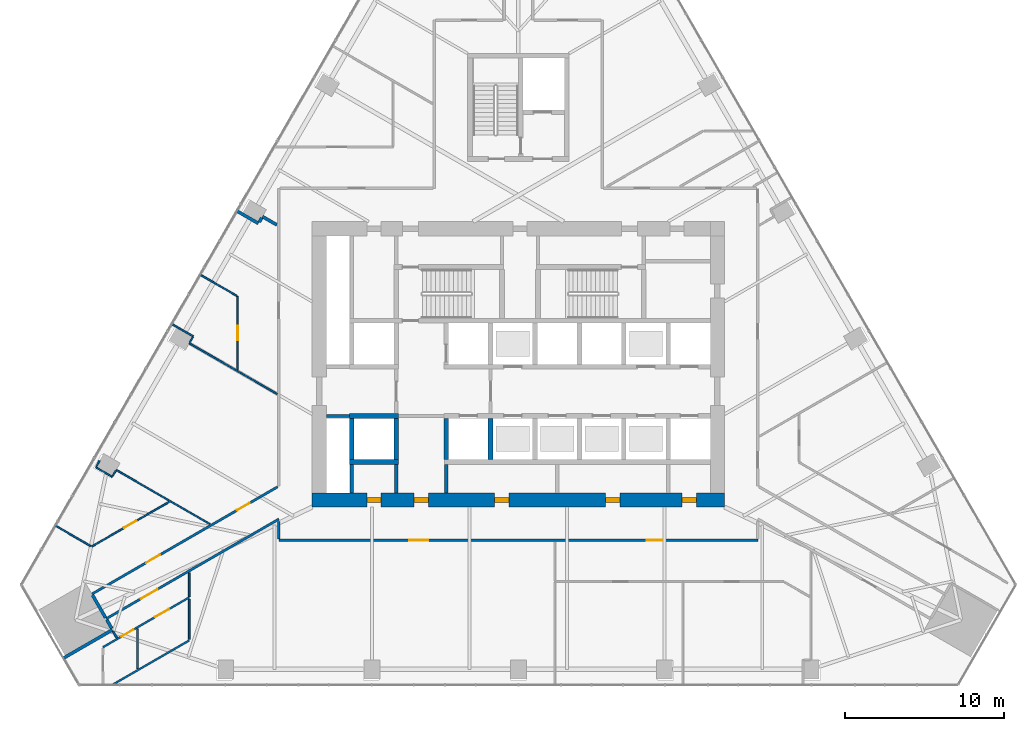
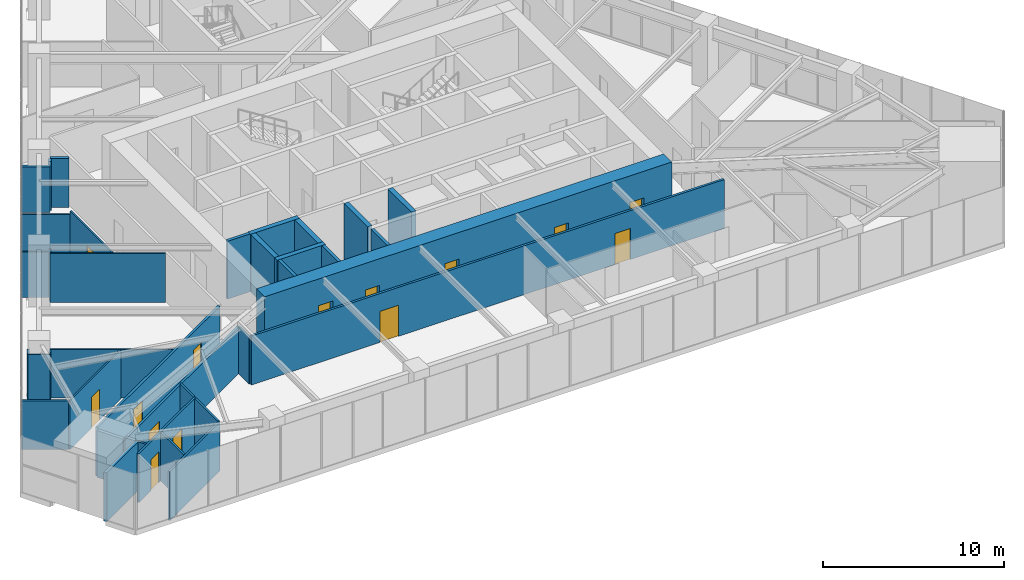
# One storey, part 13 of 19: 38 walls, 14 doors, 14 openings.
"""IFC4 building model written with IfcOpenShell, lengths in metres."""

from ifc_helpers import new_model, si_unit, direction, frame, frame_2d, origin, place, context, subcontext, project, spatial, rectangle, extrude, material, layer, layer_set, type_object, element, fill, save


model = new_model("IFC4")

# Units and contexts
model_context = context("Model", 3, precision=1e-05, world=origin(), true_north=direction((0.0, 1.0)))
body_context = subcontext(model_context, "Body", "Model", "MODEL_VIEW")
ifc_project = project(units=[si_unit("LENGTHUNIT", "METRE"), si_unit("AREAUNIT", "SQUARE_METRE"), si_unit("VOLUMEUNIT", "CUBIC_METRE"), si_unit("PLANEANGLEUNIT", "RADIAN"), si_unit("MASSUNIT", "GRAM", prefix="KILO")], contexts=[model_context])

# Site, building, storey
site_placement = place(None, origin())
site = spatial("IfcSite", under=ifc_project, at=site_placement, CompositionType="ELEMENT")
building_placement = place(site_placement, origin())
building = spatial("IfcBuilding", under=site, at=building_placement, Name="Firuza Gate Tower and Library", CompositionType="ELEMENT")
storey_placement = place(building_placement, frame((0.0, 0.0, 136.60009765625)))
storey = spatial("IfcBuildingStorey", under=building, at=storey_placement, Name="L31", CompositionType="ELEMENT", Elevation=136.60009765625)

# Walls
ifc_material_1 = material(Name="Plasterboard on steel studs", Category="steel")
ifc_layer_1 = layer(ifc_material_1, 0.199951171875)
ifc_layer_set_1 = layer_set([ifc_layer_1], Name="Core partition 200 EI 120")
wall_type_1 = type_object("IfcWallType", Name="Core partition 200 EI 120", PredefinedType="PARTITIONING", material=ifc_layer_set_1)
wall_1_placement = place(storey_placement, frame((62.89990234375, 71.75, 0.0), z_axis=(0.0, 0.0, 1.0), x_axis=(1.0, 0.0, 0.0)))
element("IfcWall", 1, at=wall_1_placement, inside=storey, type_object=wall_type_1, Name="Core partition L31 1", PredefinedType="PARTITIONING", context=body_context, shape_type="SweptSolid", body=[
    extrude(rectangle(XDim=1.4501953125, YDim=0.199951171875, at=frame_2d((0.72509765625, 0.0))), origin(), (0.0, 0.0, 1.0), 3.89990234375),
])
for number, where, z_axis, x_axis, name in (
    (2, (64.5, 66.89990234375, 0.0), (0.0, 0.0, 1.0), (0.0, 1.0, 0.0), "Core partition L31 5"),
    (3, (67.300048828125, 66.89990234375, 0.0), (0.0, 0.0, 1.0), (0.0, 1.0, 0.0), "Core partition L31 7"),
    (4, (70.449951171875, 66.89990234375, 0.0), (0.0, 0.0, 1.0), (0.0, 1.0, 0.0), "Core partition L31 10"),
):
    element("IfcWall", number, at=place(storey_placement, frame(where, z_axis=z_axis, x_axis=x_axis)), inside=storey, type_object=wall_type_1, Name=name, PredefinedType="PARTITIONING", context=body_context, shape_type="SweptSolid", body=[
        extrude(rectangle(XDim=1.800048828125, YDim=0.199951171875, at=frame_2d((0.89990234375, 0.0))), origin(), (0.0, 0.0, 1.0), 3.89990234375),
    ])
ifc_material_2 = material(Name="Concrete C80/95", Category="concrete")
ifc_layer_2 = layer(ifc_material_2, 0.300048828125)
ifc_layer_set_2 = layer_set([ifc_layer_2], Name="Core wall 300 C80/95")
wall_type_2 = type_object("IfcWallType", Name="Core wall 300 C80/95", PredefinedType="SHEAR", material=ifc_layer_set_2)
for number, where, z_axis, x_axis, name in (
    (5, (64.35009765625, 68.85009765625, 0.0), (0.0, 0.0, 1.0), (1.0, 0.0, 0.0), "Core wall L31 5"),
    (6, (64.35009765625, 71.75, 0.0), (0.0, 0.0, 1.0), (1.0, 0.0, 0.0), "Core wall L31 7"),
):
    element("IfcWall", number, at=place(storey_placement, frame(where, z_axis=z_axis, x_axis=x_axis)), inside=storey, type_object=wall_type_2, Name=name, PredefinedType="SHEAR", context=body_context, shape_type="SweptSolid", body=[
        extrude(rectangle(XDim=3.099853515625, YDim=0.300048828125, at=frame_2d((1.5498046875, 0.0))), origin(), (0.0, 0.0, 1.0), 3.89990234375),
    ])
for number, where, z_axis, x_axis, name in (
    (7, (64.5, 69.0, 0.0), (0.0, 0.0, 1.0), (0.0, 1.0, 0.0), "Core wall L31 11"),
    (8, (67.300048828125, 69.0, 0.0), (0.0, 0.0, 1.0), (0.0, 1.0, 0.0), "Core wall L31 13"),
    (9, (70.449951171875, 69.0, 0.0), (0.0, 0.0, 1.0), (0.0, 1.0, 0.0), "Core wall L31 15"),
    (10, (73.25, 69.0, 0.0), (0.0, 0.0, 1.0), (0.0, 1.0, 0.0), "Core wall L31 17"),
):
    element("IfcWall", number, at=place(storey_placement, frame(where, z_axis=z_axis, x_axis=x_axis)), inside=storey, type_object=wall_type_2, Name=name, PredefinedType="SHEAR", context=body_context, shape_type="SweptSolid", body=[
        extrude(rectangle(XDim=2.60009765625, YDim=0.300048828125, at=frame_2d((1.300048828125, 0.0))), origin(), (0.0, 0.0, 1.0), 3.89990234375),
    ])

# Wall, openings, doors
ifc_material_3 = material(Name="Concrete C80/95", Category="concrete")
ifc_layer_3 = layer(ifc_material_3, 0.89990234375)
ifc_layer_set_3 = layer_set([ifc_layer_3], Name="Core wall 900 C80/95")
wall_type_3 = type_object("IfcWallType", Name="Core wall 900 C80/95", PredefinedType="SHEAR", material=ifc_layer_set_3)
wall_2_placement = place(storey_placement, frame((62.0, 66.449951171875, 0.0), z_axis=(0.0, 0.0, 1.0), x_axis=(1.0, 0.0, 0.0)))
wall_2 = element("IfcWall", 11, at=wall_2_placement, inside=storey, type_object=wall_type_3, Name="Core wall L31 1", PredefinedType="SHEAR", context=body_context, shape_type="SweptSolid", body=[
    extrude(rectangle(XDim=26.0, YDim=0.89990234375, at=frame_2d((13.0, 0.0))), origin(), (0.0, 0.0, 1.0), 3.89990234375),
])
opening_1_placement = place(wall_2_placement, frame((3.449951171875, 0.0, 0.0)))
opening_1 = element("IfcOpeningElement", 12, at=opening_1_placement, cuts=wall_2, Name="Opening L31-K24", PredefinedType="OPENING", context=body_context, shape_type="SweptSolid", body=[
    extrude(rectangle(XDim=0.89990234375, YDim=2.10009765625, at=frame_2d((0.449951171875, 1.050048828125))), frame((0.0, 0.4599609375, 0.0), z_axis=(0.0, -1.0, 0.0), x_axis=(1.0, 0.0, 0.0)), (0.0, 0.0, 1.0), 0.919921875),
])
opening_2_placement = place(wall_2_placement, frame((6.425048828125, 0.0, 0.0)))
opening_2 = element("IfcOpeningElement", 13, at=opening_2_placement, cuts=wall_2, Name="Opening L31-K25", PredefinedType="OPENING", context=body_context, shape_type="SweptSolid", body=[
    extrude(rectangle(XDim=0.89990234375, YDim=2.10009765625, at=frame_2d((0.449951171875, 1.050048828125))), frame((0.0, 0.4599609375, 0.0), z_axis=(0.0, -1.0, 0.0), x_axis=(1.0, 0.0, 0.0)), (0.0, 0.0, 1.0), 0.919921875),
])
opening_3_placement = place(wall_2_placement, frame((11.5, 0.0, 0.0)))
opening_3 = element("IfcOpeningElement", 14, at=opening_3_placement, cuts=wall_2, Name="Opening L31-K26", PredefinedType="OPENING", context=body_context, shape_type="SweptSolid", body=[
    extrude(rectangle(XDim=0.89990234375, YDim=2.10009765625, at=frame_2d((0.449951171875, 1.050048828125))), frame((0.0, 0.4599609375, 0.0), z_axis=(0.0, -1.0, 0.0), x_axis=(1.0, 0.0, 0.0)), (0.0, 0.0, 1.0), 0.919921875),
])
opening_4_placement = place(wall_2_placement, frame((18.5, 0.0, 0.0)))
opening_4 = element("IfcOpeningElement", 15, at=opening_4_placement, cuts=wall_2, Name="Opening L31-K27", PredefinedType="OPENING", context=body_context, shape_type="SweptSolid", body=[
    extrude(rectangle(XDim=0.89990234375, YDim=2.10009765625, at=frame_2d((0.449951171875, 1.050048828125))), frame((0.0, 0.4599609375, 0.0), z_axis=(0.0, -1.0, 0.0), x_axis=(1.0, 0.0, 0.0)), (0.0, 0.0, 1.0), 0.919921875),
])
opening_5_placement = place(wall_2_placement, frame((23.324951171875, 0.0, 0.0)))
opening_5 = element("IfcOpeningElement", 16, at=opening_5_placement, cuts=wall_2, Name="Opening L31-K28", PredefinedType="OPENING", context=body_context, shape_type="SweptSolid", body=[
    extrude(rectangle(XDim=0.89990234375, YDim=2.10009765625, at=frame_2d((0.449951171875, 1.050048828125))), frame((0.0, 0.4599609375, 0.0), z_axis=(0.0, -1.0, 0.0), x_axis=(1.0, 0.0, 0.0)), (0.0, 0.0, 1.0), 0.919921875),
])
ifc_material_4 = material(Name="Steel", Category="steel")
door_type_1 = type_object("IfcDoorType", Name="Fire door 900x2100 FD30S", OperationType="NOTDEFINED", PredefinedType="DOOR", material=ifc_material_4)
door_1_placement = place(opening_1_placement, origin())
door_1 = element("IfcDoor", 17, at=door_1_placement, inside=storey, type_object=door_type_1, Name="Door L31-K24", OperationType="SINGLE_SWING_LEFT", OverallHeight=2.10009765625, OverallWidth=0.89990234375, PredefinedType="DOOR", context=body_context, shape_type="SweptSolid", body=[
    extrude(rectangle(XDim=0.89990234375, YDim=2.10009765625, at=frame_2d((0.449951171875, 1.050048828125))), frame((0.0, 0.169921875, 0.0), z_axis=(0.0, -1.0, 0.0), x_axis=(1.0, 0.0, 0.0)), (0.0, 0.0, 1.0), 0.33984375),
])
fill(opening_1, door_1)
door_2_placement = place(opening_2_placement, origin())
door_2 = element("IfcDoor", 18, at=door_2_placement, inside=storey, type_object=door_type_1, Name="Door L31-K25", OperationType="SINGLE_SWING_RIGHT", OverallHeight=2.10009765625, OverallWidth=0.89990234375, PredefinedType="DOOR", context=body_context, shape_type="SweptSolid", body=[
    extrude(rectangle(XDim=0.89990234375, YDim=2.10009765625, at=frame_2d((0.449951171875, 1.050048828125))), frame((0.0, 0.169921875, 0.0), z_axis=(0.0, -1.0, 0.0), x_axis=(1.0, 0.0, 0.0)), (0.0, 0.0, 1.0), 0.33984375),
])
fill(opening_2, door_2)
door_3_placement = place(opening_3_placement, origin())
door_3 = element("IfcDoor", 19, at=door_3_placement, inside=storey, type_object=door_type_1, Name="Door L31-K26", OperationType="SINGLE_SWING_LEFT", OverallHeight=2.10009765625, OverallWidth=0.89990234375, PredefinedType="DOOR", context=body_context, shape_type="SweptSolid", body=[
    extrude(rectangle(XDim=0.89990234375, YDim=2.10009765625, at=frame_2d((0.449951171875, 1.050048828125))), frame((0.0, 0.169921875, 0.0), z_axis=(0.0, -1.0, 0.0), x_axis=(1.0, 0.0, 0.0)), (0.0, 0.0, 1.0), 0.33984375),
])
fill(opening_3, door_3)
door_4_placement = place(opening_4_placement, origin())
door_4 = element("IfcDoor", 20, at=door_4_placement, inside=storey, type_object=door_type_1, Name="Door L31-K27", OperationType="SINGLE_SWING_RIGHT", OverallHeight=2.10009765625, OverallWidth=0.89990234375, PredefinedType="DOOR", context=body_context, shape_type="SweptSolid", body=[
    extrude(rectangle(XDim=0.89990234375, YDim=2.10009765625, at=frame_2d((0.449951171875, 1.050048828125))), frame((0.0, 0.169921875, 0.0), z_axis=(0.0, -1.0, 0.0), x_axis=(1.0, 0.0, 0.0)), (0.0, 0.0, 1.0), 0.33984375),
])
fill(opening_4, door_4)
door_5_placement = place(opening_5_placement, origin())
door_5 = element("IfcDoor", 21, at=door_5_placement, inside=storey, type_object=door_type_1, Name="Door L31-K28", OperationType="SINGLE_SWING_LEFT", OverallHeight=2.10009765625, OverallWidth=0.89990234375, PredefinedType="DOOR", context=body_context, shape_type="SweptSolid", body=[
    extrude(rectangle(XDim=0.89990234375, YDim=2.10009765625, at=frame_2d((0.449951171875, 1.050048828125))), frame((0.0, 0.169921875, 0.0), z_axis=(0.0, -1.0, 0.0), x_axis=(1.0, 0.0, 0.0)), (0.0, 0.0, 1.0), 0.33984375),
])
fill(opening_5, door_5)

ifc_material_5 = material(Name="Gypsum board partition")
ifc_layer_4 = layer(ifc_material_5, 0.14990234375)
ifc_layer_set_4 = layer_set([ifc_layer_4], Name="Corridor wall 150 double board on steel studs")
wall_type_4 = type_object("IfcWallType", Name="Corridor wall 150 double board on steel studs", PredefinedType="PARTITIONING", material=ifc_layer_set_4)
wall_3_placement = place(storey_placement, frame((90.10009765625, 63.89990234375, 0.0), z_axis=(0.0, 0.0, 1.0), x_axis=(-1.0, 0.0, 0.0)))
wall_3 = element("IfcWall", 22, at=wall_3_placement, inside=storey, type_object=wall_type_4, Name="f:L31:w002", PredefinedType="PARTITIONING", context=body_context, shape_type="SweptSolid", body=[
    extrude(rectangle(XDim=30.199462890625, YDim=0.14990234375, at=frame_2d((15.099609375, 0.0))), origin(), (0.0, 0.0, 1.0), 3.2998046875),
])
opening_6_placement = place(wall_3_placement, frame((5.99853515625, 0.0, 0.0)))
opening_6 = element("IfcOpeningElement", 23, at=opening_6_placement, cuts=wall_3, Name="Opening L31-03", PredefinedType="OPENING", context=body_context, shape_type="SweptSolid", body=[
    extrude(rectangle(XDim=1.0, YDim=2.10009765625, at=frame_2d((0.5, 1.050048828125))), frame((0.0, 0.0849609375, 0.0), z_axis=(0.0, -1.0, 0.0), x_axis=(1.0, 0.0, 0.0)), (0.0, 0.0, 1.0), 0.169921875),
])
opening_7_placement = place(wall_3_placement, frame((20.79541015625, 0.0, 0.0)))
opening_7 = element("IfcOpeningElement", 24, at=opening_7_placement, cuts=wall_3, Name="Opening L31-04", PredefinedType="OPENING", context=body_context, shape_type="SweptSolid", body=[
    extrude(rectangle(XDim=1.199951171875, YDim=2.10009765625, at=frame_2d((0.60009765625, 1.050048828125))), frame((0.0, 0.0849609375, 0.0), z_axis=(0.0, -1.0, 0.0), x_axis=(1.0, 0.0, 0.0)), (0.0, 0.0, 1.0), 0.169921875),
])
ifc_material_6 = material(Name="Steel door and timber leaf", Category="steel")
door_type_2 = type_object("IfcDoorType", Name="Fire door 1000 x 2100 steel frame, timber leaf", OperationType="NOTDEFINED", PredefinedType="DOOR", material=ifc_material_6)
door_6_placement = place(opening_6_placement, origin())
door_6 = element("IfcDoor", 25, at=door_6_placement, inside=storey, type_object=door_type_2, Name="f:L31:d003", OperationType="SINGLE_SWING_LEFT", OverallHeight=2.10009765625, OverallWidth=1.0, PredefinedType="DOOR", context=body_context, shape_type="SweptSolid", body=[
    extrude(rectangle(XDim=1.0, YDim=2.10009765625, at=frame_2d((0.5, 1.050048828125))), frame((0.0, 0.02490234375, 0.0), z_axis=(0.0, -1.0, 0.0), x_axis=(1.0, 0.0, 0.0)), (0.0, 0.0, 1.0), 0.050048828125),
])
fill(opening_6, door_6)
ifc_material_7 = material(Name="Steel door and timber leaf", Category="steel")
door_type_3 = type_object("IfcDoorType", Name="Fire door 1200 x 2100 steel frame, double leaf", OperationType="NOTDEFINED", PredefinedType="DOOR", material=ifc_material_7)
door_7_placement = place(opening_7_placement, origin())
door_7 = element("IfcDoor", 26, at=door_7_placement, inside=storey, type_object=door_type_3, Name="f:L31:d004", OperationType="DOUBLE_DOOR_SINGLE_SWING", OverallHeight=2.10009765625, OverallWidth=1.199951171875, PredefinedType="DOOR", context=body_context, shape_type="SweptSolid", body=[
    extrude(rectangle(XDim=1.199951171875, YDim=2.10009765625, at=frame_2d((0.60009765625, 1.050048828125))), frame((0.0, 0.02490234375, 0.0), z_axis=(0.0, -1.0, 0.0), x_axis=(1.0, 0.0, 0.0)), (0.0, 0.0, 1.0), 0.050048828125),
])
fill(opening_7, door_7)

# Wall, opening, door
wall_4_placement = place(storey_placement, frame((59.89990234375, 65.242919921875, 0.0), z_axis=(0.0, 0.0, 1.0), x_axis=(-0.866021305353, -0.500007098624, 0.0)))
wall_4 = element("IfcWall", 27, at=wall_4_placement, inside=storey, type_object=wall_type_4, Name="f:L31:w017", PredefinedType="PARTITIONING", context=body_context, shape_type="SweptSolid", body=[
    extrude(rectangle(XDim=12.572021484375, YDim=0.14990234375, at=frame_2d((6.2861328125, 0.0))), origin(), (0.0, 0.0, 1.0), 3.14697265625),
])
opening_8_placement = place(wall_4_placement, frame((8.847900390625, 0.0, 0.0)))
opening_8 = element("IfcOpeningElement", 28, at=opening_8_placement, cuts=wall_4, Name="Opening L31-13", PredefinedType="OPENING", context=body_context, shape_type="SweptSolid", body=[
    extrude(rectangle(XDim=1.199951171875, YDim=2.10009765625, at=frame_2d((0.60009765625, 1.050048828125))), frame((0.0, 0.0849609375, 0.0), z_axis=(0.0, -1.0, 0.0), x_axis=(1.0, 0.0, 0.0)), (0.0, 0.0, 1.0), 0.169921875),
])
door_8_placement = place(opening_8_placement, origin())
door_8 = element("IfcDoor", 29, at=door_8_placement, inside=storey, type_object=door_type_3, Name="f:L31:d013", OperationType="DOUBLE_DOOR_SINGLE_SWING", OverallHeight=2.10009765625, OverallWidth=1.199951171875, PredefinedType="DOOR", context=body_context, shape_type="SweptSolid", body=[
    extrude(rectangle(XDim=1.199951171875, YDim=2.10009765625, at=frame_2d((0.60009765625, 1.050048828125))), frame((0.0, 0.02490234375, 0.0), z_axis=(0.0, -1.0, 0.0), x_axis=(1.0, 0.0, 0.0)), (0.0, 0.0, 1.0), 0.050048828125),
])
fill(opening_8, door_8)

# Wall, openings, doors
wall_5_placement = place(storey_placement, frame((48.1142578125, 60.516845703125, 0.0), z_axis=(0.0, 0.0, 1.0), x_axis=(0.866023530324, 0.500003244914, 0.0)))
wall_5 = element("IfcWall", 30, at=wall_5_placement, inside=storey, type_object=wall_type_4, Name="f:L31:w020", PredefinedType="PARTITIONING", context=body_context, shape_type="SweptSolid", body=[
    extrude(rectangle(XDim=13.5224609375, YDim=0.14990234375, at=frame_2d((6.76123046875, 0.0))), origin(), (0.0, 0.0, 1.0), 3.2998046875),
])
opening_9_placement = place(wall_5_placement, frame((3.954345703125, 0.0, 0.0)))
opening_9 = element("IfcOpeningElement", 31, at=opening_9_placement, cuts=wall_5, Name="Opening L31-14", PredefinedType="OPENING", context=body_context, shape_type="SweptSolid", body=[
    extrude(rectangle(XDim=1.0, YDim=2.10009765625, at=frame_2d((0.5, 1.050048828125))), frame((0.0, 0.0849609375, 0.0), z_axis=(0.0, -1.0, 0.0), x_axis=(1.0, 0.0, 0.0)), (0.0, 0.0, 1.0), 0.169921875),
])
opening_10_placement = place(wall_5_placement, frame((10.562255859375, 0.0, 0.0)))
opening_10 = element("IfcOpeningElement", 32, at=opening_10_placement, cuts=wall_5, Name="Opening L31-15", PredefinedType="OPENING", context=body_context, shape_type="SweptSolid", body=[
    extrude(rectangle(XDim=0.89990234375, YDim=2.10009765625, at=frame_2d((0.449951171875, 1.050048828125))), frame((0.0, 0.0849609375, 0.0), z_axis=(0.0, -1.0, 0.0), x_axis=(1.0, 0.0, 0.0)), (0.0, 0.0, 1.0), 0.169921875),
])
door_9_placement = place(opening_9_placement, origin())
door_9 = element("IfcDoor", 33, at=door_9_placement, inside=storey, type_object=door_type_2, Name="f:L31:d014", OperationType="SINGLE_SWING_RIGHT", OverallHeight=2.10009765625, OverallWidth=1.0, PredefinedType="DOOR", context=body_context, shape_type="SweptSolid", body=[
    extrude(rectangle(XDim=1.0, YDim=2.10009765625, at=frame_2d((0.5, 1.050048828125))), frame((0.0, 0.02490234375, 0.0), z_axis=(0.0, -1.0, 0.0), x_axis=(1.0, 0.0, 0.0)), (0.0, 0.0, 1.0), 0.050048828125),
])
fill(opening_9, door_9)
ifc_material_8 = material(Name="Steel door and timber leaf", Category="steel")
door_type_4 = type_object("IfcDoorType", Name="Fire door 900 x 2100 steel frame, timber leaf", OperationType="NOTDEFINED", PredefinedType="DOOR", material=ifc_material_8)
door_10_placement = place(opening_10_placement, origin())
door_10 = element("IfcDoor", 34, at=door_10_placement, inside=storey, type_object=door_type_4, Name="f:L31:d015", OperationType="SINGLE_SWING_LEFT", OverallHeight=2.10009765625, OverallWidth=0.89990234375, PredefinedType="DOOR", context=body_context, shape_type="SweptSolid", body=[
    extrude(rectangle(XDim=0.89990234375, YDim=2.10009765625, at=frame_2d((0.449951171875, 1.050048828125))), frame((0.0, 0.02490234375, 0.0), z_axis=(0.0, -1.0, 0.0), x_axis=(1.0, 0.0, 0.0)), (0.0, 0.0, 1.0), 0.050048828125),
])
fill(opening_10, door_10)

# Walls
wall_6_placement = place(storey_placement, frame((59.89990234375, 63.9755859375, 0.0), z_axis=(0.0, 0.0, 1.0), x_axis=(0.0, 1.0, 0.0)))
element("IfcWall", 35, at=wall_6_placement, inside=storey, type_object=wall_type_4, Name="f:L31:w045", PredefinedType="PARTITIONING", context=body_context, shape_type="SweptSolid", body=[
    extrude(rectangle(XDim=1.130615234375, YDim=0.14990234375, at=frame_2d((0.5654296875, 0.0))), origin(), (0.0, 0.0, 1.0), 3.14697265625),
])
ifc_material_9 = material(Name="Gypsum board partition")
ifc_layer_5 = layer(ifc_material_9, 0.199951171875)
ifc_layer_set_5 = layer_set([ifc_layer_5], Name="Demising wall 200 acoustic double stud")
wall_type_5 = type_object("IfcWallType", Name="Demising wall 200 acoustic double stud", PredefinedType="PARTITIONING", material=ifc_layer_set_5)
wall_7_placement = place(storey_placement, frame((46.32861328125, 56.483642578125, 0.0), z_axis=(0.0, 0.0, 1.0), x_axis=(0.866034141321, 0.499984865837, 0.0)))
element("IfcWall", 36, at=wall_7_placement, inside=storey, type_object=wall_type_5, Name="f:L31:w016", PredefinedType="PARTITIONING", context=body_context, shape_type="SweptSolid", body=[
    extrude(rectangle(XDim=3.54345703125, YDim=0.199951171875, at=frame_2d((1.771728515625, 0.0))), origin(), (0.0, 0.0, 1.0), 3.2998046875),
])
wall_8_placement = place(storey_placement, frame((58.665771484375, 83.97216796875, 0.0), z_axis=(0.0, 0.0, 1.0), x_axis=(0.500030943131, 0.866007538022, 0.0)))
element("IfcWall", 37, at=wall_8_placement, inside=storey, type_object=wall_type_5, Name="f:L31:w028", PredefinedType="PARTITIONING", context=body_context, shape_type="SweptSolid", body=[
    extrude(rectangle(XDim=0.296875, YDim=0.199951171875, at=frame_2d((0.1484375, 0.0))), origin(), (0.0, 0.0, 1.0), 3.2998046875),
])
wall_9_placement = place(storey_placement, frame((49.36181640625, 58.350830078125, 0.0), z_axis=(0.0, 0.0, 1.0), x_axis=(-0.499880341542, 0.866094477606, 0.0)))
element("IfcWall", 38, at=wall_9_placement, inside=storey, type_object=wall_type_5, Name="f:L31:w052", PredefinedType="PARTITIONING", context=body_context, shape_type="SweptSolid", body=[
    extrude(rectangle(XDim=0.624755859375, YDim=0.199951171875, at=frame_2d((0.3125, 0.0))), origin(), (0.0, 0.0, 1.0), 3.2998046875),
])
wall_10_placement = place(storey_placement, frame((59.77294921875, 83.79150390625, 0.0), z_axis=(0.0, 0.0, 1.0), x_axis=(-0.866057688017, 0.499944077899, 0.0)))
element("IfcWall", 39, at=wall_10_placement, inside=storey, type_object=wall_type_5, Name="f:L31:w062", PredefinedType="PARTITIONING", context=body_context, shape_type="SweptSolid", body=[
    extrude(rectangle(XDim=1.048828125, YDim=0.199951171875, at=frame_2d((0.5244140625, 0.0))), origin(), (0.0, 0.0, 1.0), 3.2998046875),
])
wall_11_placement = place(storey_placement, frame((58.61181640625, 83.884521484375, 0.0), z_axis=(0.0, 0.0, 1.0), x_axis=(-0.866005410122, 0.500034628441, 0.0)))
element("IfcWall", 40, at=wall_11_placement, inside=storey, type_object=wall_type_5, Name="f:L31:w063", PredefinedType="PARTITIONING", context=body_context, shape_type="SweptSolid", body=[
    extrude(rectangle(XDim=1.55712890625, YDim=0.199951171875, at=frame_2d((0.778564453125, 0.0))), origin(), (0.0, 0.0, 1.0), 3.06494140625),
])
wall_12_placement = place(storey_placement, frame((48.974609375, 59.021728515625, 0.0), z_axis=(0.0, 0.0, 1.0), x_axis=(-0.500013311227, 0.866017718408, 0.0)))
element("IfcWall", 41, at=wall_12_placement, inside=storey, type_object=wall_type_5, Name="f:L31:w075", PredefinedType="PARTITIONING", context=body_context, shape_type="SweptSolid", body=[
    extrude(rectangle(XDim=1.64697265625, YDim=0.199951171875, at=frame_2d((0.823486328125, 0.0))), origin(), (0.0, 0.0, 1.0), 3.14697265625),
])

# Wall, opening, door
ifc_material_10 = material(Name="Gypsum board partition")
ifc_layer_6 = layer(ifc_material_10, 0.10009765625)
ifc_layer_set_6 = layer_set([ifc_layer_6], Name="Partition 100 gypsum board on steel studs")
wall_type_6 = type_object("IfcWallType", Name="Partition 100 gypsum board on steel studs", PredefinedType="PARTITIONING", material=ifc_layer_set_6)
wall_13_placement = place(storey_placement, frame((52.977783203125, 66.326904296875, 0.0), z_axis=(0.0, 0.0, 1.0), x_axis=(-0.86603265506, -0.499987440211, 0.0)))
wall_13 = element("IfcWall", 42, at=wall_13_placement, inside=storey, type_object=wall_type_6, Name="f:L31:w022", PredefinedType="PARTITIONING", context=body_context, shape_type="SweptSolid", body=[
    extrude(rectangle(XDim=5.635986328125, YDim=0.10009765625, at=frame_2d((2.81787109375, 0.0))), origin(), (0.0, 0.0, 1.0), 3.2998046875),
])
opening_11_placement = place(wall_13_placement, frame((2.367919921875, 0.0, 0.0)))
opening_11 = element("IfcOpeningElement", 43, at=opening_11_placement, cuts=wall_13, Name="Opening L31-16", PredefinedType="OPENING", context=body_context, shape_type="SweptSolid", body=[
    extrude(rectangle(XDim=0.89990234375, YDim=2.10009765625, at=frame_2d((0.449951171875, 1.050048828125))), frame((0.0, 0.06005859375, 0.0), z_axis=(0.0, -1.0, 0.0), x_axis=(1.0, 0.0, 0.0)), (0.0, 0.0, 1.0), 0.1201171875),
])
ifc_material_11 = material(Name="Timber door", Category="wood")
door_type_5 = type_object("IfcDoorType", Name="Door 900 x 2100 timber leaf", OperationType="NOTDEFINED", PredefinedType="DOOR", material=ifc_material_11)
door_11_placement = place(opening_11_placement, origin())
door_11 = element("IfcDoor", 44, at=door_11_placement, inside=storey, type_object=door_type_5, Name="f:L31:d016", OperationType="SINGLE_SWING_RIGHT", OverallHeight=2.10009765625, OverallWidth=0.89990234375, PredefinedType="DOOR", context=body_context, shape_type="SweptSolid", body=[
    extrude(rectangle(XDim=0.89990234375, YDim=2.10009765625, at=frame_2d((0.449951171875, 1.050048828125))), frame((0.0, 0.02490234375, 0.0), z_axis=(0.0, -1.0, 0.0), x_axis=(1.0, 0.0, 0.0)), (0.0, 0.0, 1.0), 0.050048828125),
])
fill(opening_11, door_11)

# Walls
wall_14_placement = place(storey_placement, frame((49.421142578125, 67.9599609375, 0.0), z_axis=(0.0, 0.0, 1.0), x_axis=(0.500246304613, 0.865883153041, 0.0)))
element("IfcWall", 45, at=wall_14_placement, inside=storey, type_object=wall_type_6, Name="f:L31:w026", PredefinedType="PARTITIONING", context=body_context, shape_type="SweptSolid", body=[
    extrude(rectangle(XDim=0.389892578125, YDim=0.10009765625, at=frame_2d((0.19482421875, 0.0))), origin(), (0.0, 0.0, 1.0), 3.2998046875),
])
wall_15_placement = place(storey_placement, frame((54.278076171875, 76.372314453125, 0.0), z_axis=(0.0, 0.0, 1.0), x_axis=(0.50002266109, 0.866012320003, 0.0)))
element("IfcWall", 46, at=wall_15_placement, inside=storey, type_object=wall_type_6, Name="f:L31:w027", PredefinedType="PARTITIONING", context=body_context, shape_type="SweptSolid", body=[
    extrude(rectangle(XDim=0.39892578125, YDim=0.10009765625, at=frame_2d((0.199462890625, 0.0))), origin(), (0.0, 0.0, 1.0), 3.2998046875),
])
wall_16_placement = place(storey_placement, frame((48.38037109375, 68.557373046875, 0.0), z_axis=(0.0, 0.0, 1.0), x_axis=(0.500406136638, 0.865790793677, 0.0)))
element("IfcWall", 47, at=wall_16_placement, inside=storey, type_object=wall_type_6, Name="f:L31:w029", PredefinedType="PARTITIONING", context=body_context, shape_type="SweptSolid", body=[
    extrude(rectangle(XDim=0.443115234375, YDim=0.10009765625, at=frame_2d((0.2216796875, 0.0))), origin(), (0.0, 0.0, 1.0), 3.2998046875),
])

# Wall, opening, door
wall_17_placement = place(storey_placement, frame((57.300048828125, 79.287841796875, 0.0), z_axis=(0.0, 0.0, 1.0), x_axis=(0.0, -1.0, 0.0)))
wall_17 = element("IfcWall", 48, at=wall_17_placement, inside=storey, type_object=wall_type_6, Name="f:L31:w047", PredefinedType="PARTITIONING", context=body_context, shape_type="SweptSolid", body=[
    extrude(rectangle(XDim=4.630859375, YDim=0.10009765625, at=frame_2d((2.3154296875, 0.0))), origin(), (0.0, 0.0, 1.0), 3.2998046875),
])
opening_12_placement = place(wall_17_placement, frame((1.865478515625, 0.0, 0.0)))
opening_12 = element("IfcOpeningElement", 49, at=opening_12_placement, cuts=wall_17, Name="Opening L31-25", PredefinedType="OPENING", context=body_context, shape_type="SweptSolid", body=[
    extrude(rectangle(XDim=0.89990234375, YDim=2.10009765625, at=frame_2d((0.449951171875, 1.050048828125))), frame((0.0, 0.06005859375, 0.0), z_axis=(0.0, -1.0, 0.0), x_axis=(1.0, 0.0, 0.0)), (0.0, 0.0, 1.0), 0.1201171875),
])
door_12_placement = place(opening_12_placement, origin())
door_12 = element("IfcDoor", 50, at=door_12_placement, inside=storey, type_object=door_type_5, Name="f:L31:d025", OperationType="SINGLE_SWING_LEFT", OverallHeight=2.10009765625, OverallWidth=0.89990234375, PredefinedType="DOOR", context=body_context, shape_type="SweptSolid", body=[
    extrude(rectangle(XDim=0.89990234375, YDim=2.10009765625, at=frame_2d((0.449951171875, 1.050048828125))), frame((0.0, 0.02490234375, 0.0), z_axis=(0.0, -1.0, 0.0), x_axis=(1.0, 0.0, 0.0)), (0.0, 0.0, 1.0), 0.050048828125),
])
fill(opening_12, door_12)

# Walls
wall_18_placement = place(storey_placement, frame((57.25, 79.31640625, 0.0), z_axis=(0.0, 0.0, 1.0), x_axis=(-0.866038956489, 0.499976525293, 0.0)))
element("IfcWall", 51, at=wall_18_placement, inside=storey, type_object=wall_type_6, Name="f:L31:w066", PredefinedType="PARTITIONING", context=body_context, shape_type="SweptSolid", body=[
    extrude(rectangle(XDim=2.661865234375, YDim=0.10009765625, at=frame_2d((1.3310546875, 0.0))), origin(), (0.0, 0.0, 1.0), 3.06494140625),
])
wall_19_placement = place(storey_placement, frame((54.50244140625, 76.761962890625, 0.0), z_axis=(0.0, 0.0, 1.0), x_axis=(-0.866018739521, 0.500011542666, 0.0)))
element("IfcWall", 52, at=wall_19_placement, inside=storey, type_object=wall_type_6, Name="f:L31:w067", PredefinedType="PARTITIONING", context=body_context, shape_type="SweptSolid", body=[
    extrude(rectangle(XDim=1.5595703125, YDim=0.10009765625, at=frame_2d((0.77978515625, 0.0))), origin(), (0.0, 0.0, 1.0), 3.06494140625),
])
wall_20_placement = place(storey_placement, frame((59.799072265625, 73.12646484375, 0.0), z_axis=(0.0, 0.0, 1.0), x_axis=(-0.866017336907, 0.500013971981, 0.0)))
element("IfcWall", 53, at=wall_20_placement, inside=storey, type_object=wall_type_6, Name="f:L31:w068", PredefinedType="PARTITIONING", context=body_context, shape_type="SweptSolid", body=[
    extrude(rectangle(XDim=6.403564453125, YDim=0.10009765625, at=frame_2d((3.20166015625, 0.0))), origin(), (0.0, 0.0, 1.0), 3.2998046875),
])
wall_21_placement = place(storey_placement, frame((55.552978515625, 64.92822265625, 0.0), z_axis=(0.0, 0.0, 1.0), x_axis=(-0.866024775297, 0.500001088571, 0.0)))
element("IfcWall", 54, at=wall_21_placement, inside=storey, type_object=wall_type_6, Name="f:L31:w069", PredefinedType="PARTITIONING", context=body_context, shape_type="SweptSolid", body=[
    extrude(rectangle(XDim=6.826171875, YDim=0.10009765625, at=frame_2d((3.4130859375, 0.0))), origin(), (0.0, 0.0, 1.0), 3.2998046875),
])
wall_22_placement = place(storey_placement, frame((49.391357421875, 67.908203125, 0.0), z_axis=(0.0, 0.0, 1.0), x_axis=(-0.866006032174, 0.500033551112, 0.0)))
element("IfcWall", 55, at=wall_22_placement, inside=storey, type_object=wall_type_6, Name="f:L31:w070", PredefinedType="PARTITIONING", context=body_context, shape_type="SweptSolid", body=[
    extrude(rectangle(XDim=1.2001953125, YDim=0.10009765625, at=frame_2d((0.60009765625, 0.0))), origin(), (0.0, 0.0, 1.0), 3.2998046875),
])
wall_23_placement = place(storey_placement, frame((48.047119140625, 63.537841796875, 0.0), z_axis=(0.0, 0.0, 1.0), x_axis=(-0.866010727845, 0.500025418611, 0.0)))
element("IfcWall", 56, at=wall_23_placement, inside=storey, type_object=wall_type_6, Name="f:L31:w071", PredefinedType="PARTITIONING", context=body_context, shape_type="SweptSolid", body=[
    extrude(rectangle(XDim=2.580810546875, YDim=0.10009765625, at=frame_2d((1.29052734375, 0.0))), origin(), (0.0, 0.0, 1.0), 3.2998046875),
])
ifc_material_12 = material(Name="Gypsum board partition")
ifc_layer_7 = layer(ifc_material_12, 0.1201171875)
ifc_layer_set_7 = layer_set([ifc_layer_7], Name="Wet-area partition 120 moisture-resistant board")
wall_type_7 = type_object("IfcWallType", Name="Wet-area partition 120 moisture-resistant board", PredefinedType="PARTITIONING", material=ifc_layer_set_7)
wall_24_placement = place(storey_placement, frame((49.426513671875, 54.80810546875, 0.0), z_axis=(0.0, 0.0, 1.0), x_axis=(0.866021245731, 0.500007201891, 0.0)))
element("IfcWall", 57, at=wall_24_placement, inside=storey, type_object=wall_type_7, Name="f:L31:w014", PredefinedType="PARTITIONING", context=body_context, shape_type="SweptSolid", body=[
    extrude(rectangle(XDim=5.56640625, YDim=0.1201171875, at=frame_2d((2.783203125, 0.0))), origin(), (0.0, 0.0, 1.0), 3.2998046875),
])

# Wall, openings, doors
wall_25_placement = place(storey_placement, frame((48.81396484375, 57.16796875, 0.0), z_axis=(0.0, 0.0, 1.0), x_axis=(0.866009986161, 0.500026703156, 0.0)))
wall_25 = element("IfcWall", 58, at=wall_25_placement, inside=storey, type_object=wall_type_7, Name="f:L31:w015", PredefinedType="PARTITIONING", context=body_context, shape_type="SweptSolid", body=[
    extrude(rectangle(XDim=6.274658203125, YDim=0.1201171875, at=frame_2d((3.13720703125, 0.0))), origin(), (0.0, 0.0, 1.0), 3.2998046875),
])
opening_13_placement = place(wall_25_placement, frame((1.329345703125, 0.0, 0.0)))
opening_13 = element("IfcOpeningElement", 59, at=opening_13_placement, cuts=wall_25, Name="Opening L31-11", PredefinedType="OPENING", context=body_context, shape_type="SweptSolid", body=[
    extrude(rectangle(XDim=0.89990234375, YDim=2.10009765625, at=frame_2d((0.449951171875, 1.050048828125))), frame((0.0, 0.070068359375, 0.0), z_axis=(0.0, -1.0, 0.0), x_axis=(1.0, 0.0, 0.0)), (0.0, 0.0, 1.0), 0.14013671875),
])
opening_14_placement = place(wall_25_placement, frame((3.79052734375, 0.0, 0.0)))
opening_14 = element("IfcOpeningElement", 60, at=opening_14_placement, cuts=wall_25, Name="Opening L31-12", PredefinedType="OPENING", context=body_context, shape_type="SweptSolid", body=[
    extrude(rectangle(XDim=1.0, YDim=2.10009765625, at=frame_2d((0.5, 1.050048828125))), frame((0.0, 0.070068359375, 0.0), z_axis=(0.0, -1.0, 0.0), x_axis=(1.0, 0.0, 0.0)), (0.0, 0.0, 1.0), 0.14013671875),
])
ifc_material_13 = material(Name="Timber door", Category="wood")
door_type_6 = type_object("IfcDoorType", Name="Door 1000 x 2100 timber leaf", OperationType="NOTDEFINED", PredefinedType="DOOR", material=ifc_material_13)
door_13_placement = place(opening_14_placement, origin())
door_13 = element("IfcDoor", 61, at=door_13_placement, inside=storey, type_object=door_type_6, Name="f:L31:d012", OperationType="SINGLE_SWING_RIGHT", OverallHeight=2.10009765625, OverallWidth=1.0, PredefinedType="DOOR", context=body_context, shape_type="SweptSolid", body=[
    extrude(rectangle(XDim=1.0, YDim=2.10009765625, at=frame_2d((0.5, 1.050048828125))), frame((0.0, 0.02490234375, 0.0), z_axis=(0.0, -1.0, 0.0), x_axis=(1.0, 0.0, 0.0)), (0.0, 0.0, 1.0), 0.050048828125),
])
fill(opening_14, door_13)
door_14_placement = place(opening_13_placement, origin())
door_14 = element("IfcDoor", 62, at=door_14_placement, inside=storey, type_object=door_type_5, Name="f:L31:d011", OperationType="SINGLE_SWING_LEFT", OverallHeight=2.10009765625, OverallWidth=0.89990234375, PredefinedType="DOOR", context=body_context, shape_type="SweptSolid", body=[
    extrude(rectangle(XDim=0.89990234375, YDim=2.10009765625, at=frame_2d((0.449951171875, 1.050048828125))), frame((0.0, 0.02490234375, 0.0), z_axis=(0.0, -1.0, 0.0), x_axis=(1.0, 0.0, 0.0)), (0.0, 0.0, 1.0), 0.050048828125),
])
fill(opening_13, door_14)

# Walls
wall_26_placement = place(storey_placement, frame((54.248046875, 57.6611328125, 0.0), z_axis=(0.0, 0.0, 1.0), x_axis=(0.0, 1.0, 0.0)))
element("IfcWall", 63, at=wall_26_placement, inside=storey, type_object=wall_type_7, Name="f:L31:w048", PredefinedType="PARTITIONING", context=body_context, shape_type="SweptSolid", body=[
    extrude(rectangle(XDim=2.540283203125, YDim=0.1201171875, at=frame_2d((1.27001953125, 0.0))), origin(), (0.0, 0.0, 1.0), 3.2998046875),
])
wall_27_placement = place(storey_placement, frame((50.988037109375, 55.818603515625, 0.0), z_axis=(0.0, 0.0, 1.0), x_axis=(0.0, 1.0, 0.0)))
element("IfcWall", 64, at=wall_27_placement, inside=storey, type_object=wall_type_7, Name="f:L31:w049", PredefinedType="PARTITIONING", context=body_context, shape_type="SweptSolid", body=[
    extrude(rectangle(XDim=2.4951171875, YDim=0.1201171875, at=frame_2d((1.24755859375, 0.0))), origin(), (0.0, 0.0, 1.0), 3.2998046875),
])
wall_28_placement = place(storey_placement, frame((49.684814453125, 57.75146484375, 0.0), z_axis=(0.0, 0.0, 1.0), x_axis=(-0.499913221443, 0.866075499611, 0.0)))
element("IfcWall", 65, at=wall_28_placement, inside=storey, type_object=wall_type_7, Name="f:L31:w053", PredefinedType="PARTITIONING", context=body_context, shape_type="SweptSolid", body=[
    extrude(rectangle(XDim=0.47998046875, YDim=0.1201171875, at=frame_2d((0.239990234375, 0.0))), origin(), (0.0, 0.0, 1.0), 3.2998046875),
])
wall_29_placement = place(storey_placement, frame((54.248046875, 60.357421875, 0.0), z_axis=(0.0, 0.0, 1.0), x_axis=(0.0, 1.0, 0.0)))
element("IfcWall", 66, at=wall_29_placement, inside=storey, type_object=wall_type_7, Name="f:L31:w074", PredefinedType="PARTITIONING", context=body_context, shape_type="SweptSolid", body=[
    extrude(rectangle(XDim=1.49560546875, YDim=0.1201171875, at=frame_2d((0.747802734375, 0.0))), origin(), (0.0, 0.0, 1.0), 3.2998046875),
])

save(model, "model.ifc")
